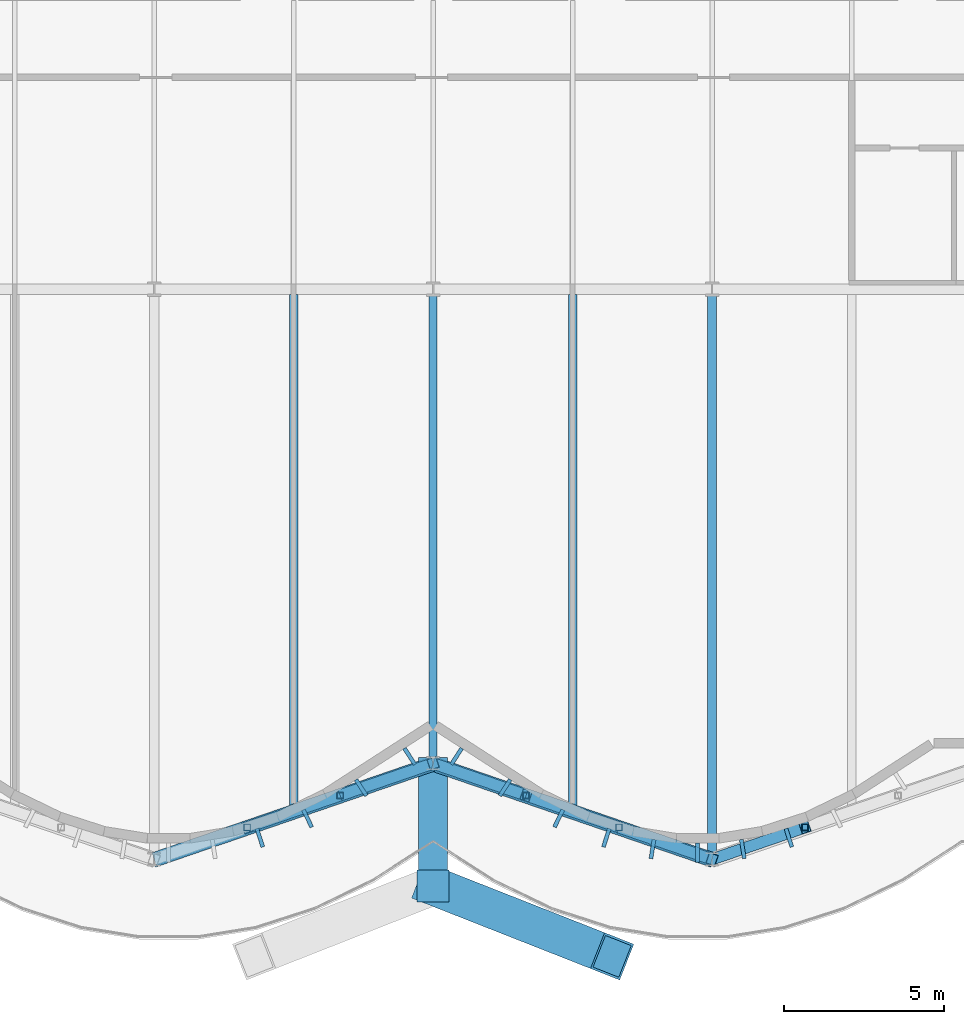
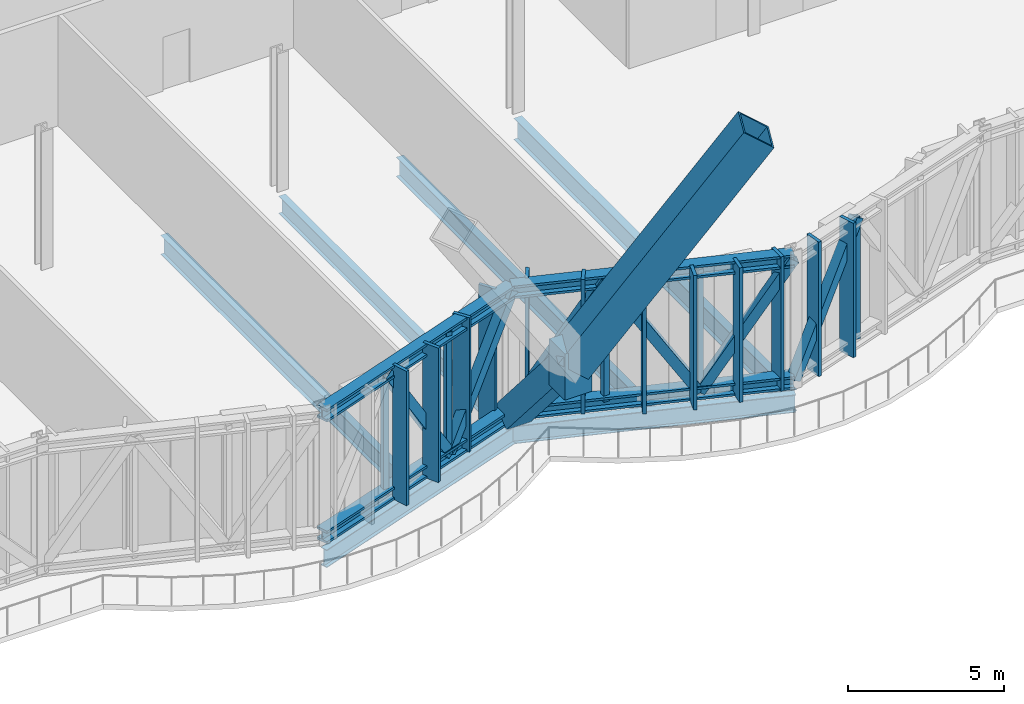
# One storey, part 11 of 32: 30 members, 6 beams, 1 element without a shape of its own.
"""IFC4 building model written with IfcOpenShell, lengths in metres."""

from ifc_helpers import new_model, si_unit, direction, frame, origin, origin_2d, place, context, subcontext, project, spatial, rectangle, hollow_rectangle, i_section, extrude, material, material_profile, profile_set, type_object, element, aggregate, save


model = new_model("IFC4")

# Units and contexts
model_context = context("Model", 3, precision=1e-05, world=origin(), true_north=direction((0.0, 1.0)))
body_context = subcontext(model_context, "Body", "Model", "MODEL_VIEW")
ifc_project = project(units=[si_unit("LENGTHUNIT", "METRE"), si_unit("AREAUNIT", "SQUARE_METRE"), si_unit("VOLUMEUNIT", "CUBIC_METRE"), si_unit("PLANEANGLEUNIT", "RADIAN"), si_unit("MASSUNIT", "GRAM", prefix="KILO")], contexts=[model_context])

# Site, building, storey
site_placement = place(None, origin())
site = spatial("IfcSite", under=ifc_project, at=site_placement, CompositionType="ELEMENT")
building_placement = place(site_placement, origin())
building = spatial("IfcBuilding", under=site, at=building_placement, Name="Bicima Exchange Tower", CompositionType="ELEMENT")
storey_placement = place(building_placement, frame((0.0, 0.0, 84.5)))
storey = spatial("IfcBuildingStorey", under=building, at=storey_placement, Name="L17", CompositionType="ELEMENT", Elevation=84.5)

# Curtain wall, members
ifc_material_1 = material(Name="Anodised bronze aluminium", Category="aluminium")
curtain_wall_type = type_object("IfcCurtainWallType", Name="Band blade screen", PredefinedType="NOTDEFINED", material=ifc_material_1)
curtain_wall_placement = place(storey_placement, origin())
curtain_wall = element("IfcCurtainWall", 1, at=curtain_wall_placement, inside=storey, type_object=curtain_wall_type, Name="Band blade screen L17", PredefinedType="NOTDEFINED")
ifc_material_profile_1 = material_profile(ifc_material_1, rectangle(XDim=0.60009765625, YDim=0.1201171875, at=origin_2d()))
ifc_profile_set_1 = profile_set([ifc_material_profile_1], Name="Anodised bronze aluminium")
member_type_1 = type_object("IfcMemberType", Name="Band blade fin 600 x 120", PredefinedType="USERDEFINED", material=ifc_profile_set_1)
member_1_placement = place(storey_placement, frame((-5.403564453125, -39.114013671875, 0.0), z_axis=(0.0, 0.0, 1.0), x_axis=(-0.307552591055, 0.951531083956, 0.0)))
member_1 = element("IfcMember", 2, at=member_1_placement, type_object=member_type_1, Name="Band blade fin 41", ObjectType="FIN", PredefinedType="USERDEFINED", context=body_context, shape_type="SweptSolid", body=[
    extrude(rectangle(XDim=0.60009765625, YDim=0.1201171875, at=origin_2d()), origin(), (0.0, 0.0, 1.0), 5.25),
])
member_2_placement = place(storey_placement, frame((-3.916259765625, -38.510498046875, 0.0), z_axis=(0.0, 0.0, 1.0), x_axis=(-0.436286748784, 0.899807686584, 0.0)))
member_2 = element("IfcMember", 3, at=member_2_placement, type_object=member_type_1, Name="Band blade fin 42", ObjectType="FIN", PredefinedType="USERDEFINED", context=body_context, shape_type="SweptSolid", body=[
    extrude(rectangle(XDim=0.60009765625, YDim=0.1201171875, at=origin_2d()), origin(), (0.0, 0.0, 1.0), 5.25),
])
member_3_placement = place(storey_placement, frame((-2.242919921875, -37.55078125, 0.0), z_axis=(0.0, 0.0, 1.0), x_axis=(-0.542909183079, 0.839791413941, 0.0)))
member_3 = element("IfcMember", 4, at=member_3_placement, type_object=member_type_1, Name="Band blade fin 43", ObjectType="FIN", PredefinedType="USERDEFINED", context=body_context, shape_type="SweptSolid", body=[
    extrude(rectangle(XDim=0.60009765625, YDim=0.1201171875, at=origin_2d()), origin(), (0.0, 0.0, 1.0), 5.25),
])
member_4_placement = place(storey_placement, frame((-0.731201171875, -36.57373046875, 0.0), z_axis=(0.0, 0.0, 1.0), x_axis=(-0.542909183079, 0.839791413941, 0.0)))
member_4 = element("IfcMember", 5, at=member_4_placement, type_object=member_type_1, Name="Band blade fin 44", ObjectType="FIN", PredefinedType="USERDEFINED", context=body_context, shape_type="SweptSolid", body=[
    extrude(rectangle(XDim=0.60009765625, YDim=0.1201171875, at=origin_2d()), origin(), (0.0, 0.0, 1.0), 5.25),
])
member_5_placement = place(storey_placement, frame((0.731201171875, -36.57373046875, 0.0), z_axis=(0.0, 0.0, 1.0), x_axis=(0.542909183079, 0.839791413941, 0.0)))
member_5 = element("IfcMember", 6, at=member_5_placement, type_object=member_type_1, Name="Band blade fin 45", ObjectType="FIN", PredefinedType="USERDEFINED", context=body_context, shape_type="SweptSolid", body=[
    extrude(rectangle(XDim=0.60009765625, YDim=0.1201171875, at=origin_2d()), origin(), (0.0, 0.0, 1.0), 5.25),
])
member_6_placement = place(storey_placement, frame((2.242919921875, -37.55078125, 0.0), z_axis=(0.0, 0.0, 1.0), x_axis=(0.542909183079, 0.839791413941, 0.0)))
member_6 = element("IfcMember", 7, at=member_6_placement, type_object=member_type_1, Name="Band blade fin 46", ObjectType="FIN", PredefinedType="USERDEFINED", context=body_context, shape_type="SweptSolid", body=[
    extrude(rectangle(XDim=0.60009765625, YDim=0.1201171875, at=origin_2d()), origin(), (0.0, 0.0, 1.0), 5.25),
])
member_7_placement = place(storey_placement, frame((3.916259765625, -38.510498046875, 0.0), z_axis=(0.0, 0.0, 1.0), x_axis=(0.436286748784, 0.899807686584, 0.0)))
member_7 = element("IfcMember", 8, at=member_7_placement, type_object=member_type_1, Name="Band blade fin 47", ObjectType="FIN", PredefinedType="USERDEFINED", context=body_context, shape_type="SweptSolid", body=[
    extrude(rectangle(XDim=0.60009765625, YDim=0.1201171875, at=origin_2d()), origin(), (0.0, 0.0, 1.0), 5.25),
])
member_8_placement = place(storey_placement, frame((5.403564453125, -39.114013671875, 0.0), z_axis=(0.0, 0.0, 1.0), x_axis=(0.307552591055, 0.951531083956, 0.0)))
member_8 = element("IfcMember", 9, at=member_8_placement, type_object=member_type_1, Name="Band blade fin 48", ObjectType="FIN", PredefinedType="USERDEFINED", context=body_context, shape_type="SweptSolid", body=[
    extrude(rectangle(XDim=0.60009765625, YDim=0.1201171875, at=origin_2d()), origin(), (0.0, 0.0, 1.0), 5.25),
])
member_9_placement = place(storey_placement, frame((6.84130859375, -39.464599609375, 0.0), z_axis=(0.0, 0.0, 1.0), x_axis=(0.159533156447, 0.987192570877, 0.0)))
member_9 = element("IfcMember", 10, at=member_9_placement, type_object=member_type_1, Name="Band blade fin 49", ObjectType="FIN", PredefinedType="USERDEFINED", context=body_context, shape_type="SweptSolid", body=[
    extrude(rectangle(XDim=0.60009765625, YDim=0.1201171875, at=origin_2d()), origin(), (0.0, 0.0, 1.0), 5.25),
])
member_10_placement = place(storey_placement, frame((8.25, -39.5791015625, 0.0), z_axis=(0.0, 0.0, 1.0), x_axis=(0.0, 1.0, 0.0)))
member_10 = element("IfcMember", 11, at=member_10_placement, type_object=member_type_1, Name="Band blade fin 50", ObjectType="FIN", PredefinedType="USERDEFINED", context=body_context, shape_type="SweptSolid", body=[
    extrude(rectangle(XDim=0.60009765625, YDim=0.1201171875, at=origin_2d()), origin(), (0.0, 0.0, 1.0), 5.25),
])
member_11_placement = place(storey_placement, frame((9.65869140625, -39.464599609375, 0.0), z_axis=(0.0, 0.0, 1.0), x_axis=(-0.159533156447, 0.987192570877, 0.0)))
member_11 = element("IfcMember", 12, at=member_11_placement, type_object=member_type_1, Name="Band blade fin 51", ObjectType="FIN", PredefinedType="USERDEFINED", context=body_context, shape_type="SweptSolid", body=[
    extrude(rectangle(XDim=0.60009765625, YDim=0.1201171875, at=origin_2d()), origin(), (0.0, 0.0, 1.0), 5.25),
])
member_12_placement = place(storey_placement, frame((11.096435546875, -39.114013671875, 0.0), z_axis=(0.0, 0.0, 1.0), x_axis=(-0.307552591055, 0.951531083956, 0.0)))
member_12 = element("IfcMember", 13, at=member_12_placement, type_object=member_type_1, Name="Band blade fin 52", ObjectType="FIN", PredefinedType="USERDEFINED", context=body_context, shape_type="SweptSolid", body=[
    extrude(rectangle(XDim=0.60009765625, YDim=0.1201171875, at=origin_2d()), origin(), (0.0, 0.0, 1.0), 5.25),
])
aggregate(curtain_wall, [member_1, member_2, member_3, member_4, member_5, member_6, member_7, member_8, member_9, member_10, member_11, member_12])

# Members
ifc_material_2 = material(Name="Steel ASTM A992 Gr 50", Category="steel")
ifc_material_profile_2 = material_profile(ifc_material_2, i_section(OverallWidth=0.431884765625, OverallDepth=0.497802734375, WebThickness=0.0556640625, FlangeThickness=0.0888671875, at=origin_2d()))
ifc_profile_set_2 = profile_set([ifc_material_profile_2], Name="Steel ASTM A992 Gr 50")
member_type_2 = type_object("IfcMemberType", Name="Belt truss chord W14x500", PredefinedType="CHORD", material=ifc_profile_set_2)
for number, where, z_axis, x_axis, name in (
    (14, (-8.699951171875, -39.78515625, 5.001220703125), (0.945666456746, 0.325138359143, 0.0), (-0.325138359143, 0.945666456746, 0.0), "Top chord"),
    (15, (-8.699951171875, -39.78515625, 0.248779296875), (0.945666456746, 0.325138359143, 0.0), (-0.325138359143, 0.945666456746, 0.0), "Bottom chord"),
    (16, (0.0, -36.7939453125, 5.001220703125), (0.945666456746, -0.325138359143, 0.0), (0.325138359143, 0.945666456746, 0.0), "Top chord"),
    (17, (0.0, -36.7939453125, 0.248779296875), (0.945666456746, -0.325138359143, 0.0), (0.325138359143, 0.945666456746, 0.0), "Bottom chord"),
):
    element("IfcMember", number, at=place(storey_placement, frame(where, z_axis=z_axis, x_axis=x_axis)), inside=storey, type_object=member_type_2, Name=name, PredefinedType="CHORD", context=body_context, shape_type="SweptSolid", body=[
        extrude(i_section(OverallWidth=0.431884765625, OverallDepth=0.497802734375, WebThickness=0.0556640625, FlangeThickness=0.0888671875, at=origin_2d()), origin(), (0.0, 0.0, 1.0), 9.19970703125),
    ])
ifc_material_3 = material(Name="Steel ASTM A572 Gr 50", Category="steel")
ifc_material_profile_3 = material_profile(ifc_material_3, hollow_rectangle(XDim=0.355712890625, YDim=0.355712890625, WallThickness=0.0146484375, at=origin_2d()))
ifc_profile_set_3 = profile_set([ifc_material_profile_3], Name="Steel ASTM A572 Gr 50")
member_type_3 = type_object("IfcMemberType", Name="Belt truss diagonal HSS14x14x5/8", PredefinedType="STRUT", material=ifc_profile_set_3)
for number, where, z_axis, x_axis, name in (
    (18, (-5.800048828125, -38.7880859375, 5.001220703125), (0.512752840949, 0.176284418085, -0.840243017251), (-0.325122040768, 0.94567206716, 0.0), "Truss diagonal"),
    (19, (-2.89990234375, -37.791015625, 0.248779296875), (0.5127210239, 0.176288319718, 0.840261614012), (-0.325146518908, 0.945663651222, 0.0), "Truss diagonal"),
    (20, (0.0, -36.7939453125, 0.248779296875), (0.5127210239, -0.176288319718, 0.840261614012), (0.325146518908, 0.945663651222, 0.0), "Truss diagonal"),
    (21, (2.89990234375, -37.791015625, 5.001220703125), (0.512752840949, -0.176284418085, -0.840243017251), (0.325122040768, 0.94567206716, 0.0), "Truss diagonal"),
    (22, (5.800048828125, -38.7880859375, 0.248779296875), (0.5127210239, -0.176288319718, 0.840261614012), (0.325146518908, 0.945663651222, 0.0), "Truss diagonal"),
    (23, (8.699951171875, -39.78515625, 0.248779296875), (0.512752840949, 0.176284418085, 0.840243017251), (-0.325122040768, 0.94567206716, 0.0), "Truss diagonal"),
):
    element("IfcMember", number, at=place(storey_placement, frame(where, z_axis=z_axis, x_axis=x_axis)), inside=storey, type_object=member_type_3, Name=name, PredefinedType="STRUT", context=body_context, shape_type="SweptSolid", body=[
        extrude(hollow_rectangle(XDim=0.355712890625, YDim=0.355712890625, WallThickness=0.0146484375, at=origin_2d()), origin(), (0.0, 0.0, 1.0), 5.656005859375),
    ])
ifc_material_profile_4 = material_profile(ifc_material_3, hollow_rectangle(XDim=0.203125, YDim=0.203125, WallThickness=0.01171875, at=origin_2d()))
ifc_profile_set_4 = profile_set([ifc_material_profile_4], Name="Steel ASTM A572 Gr 50")
member_type_4 = type_object("IfcMemberType", Name="Belt truss post HSS8x8x1/2", PredefinedType="POST", material=ifc_profile_set_4)
for number, where, z_axis, x_axis, name in (
    (24, (-5.800048828125, -38.7880859375, 0.248779296875), (0.0, 0.0, 1.0), (1.0, 0.0, 0.0), "Truss post"),
    (25, (-2.89990234375, -37.791015625, 0.248779296875), (0.0, 0.0, 1.0), (1.0, 0.0, 0.0), "Truss post"),
    (26, (2.89990234375, -37.791015625, 0.248779296875), (0.0, 0.0, 1.0), (1.0, 0.0, 0.0), "Truss post"),
    (27, (5.800048828125, -38.7880859375, 0.248779296875), (0.0, 0.0, 1.0), (1.0, 0.0, 0.0), "Truss post"),
    (28, (11.60009765625, -38.7880859375, 0.248779296875), (0.0, 0.0, 1.0), (1.0, 0.0, 0.0), "Truss post"),
):
    element("IfcMember", number, at=place(storey_placement, frame(where, z_axis=z_axis, x_axis=x_axis)), inside=storey, type_object=member_type_4, Name=name, PredefinedType="POST", context=body_context, shape_type="SweptSolid", body=[
        extrude(hollow_rectangle(XDim=0.203125, YDim=0.203125, WallThickness=0.01171875, at=origin_2d()), origin(), (0.0, 0.0, 1.0), 4.75244140625),
    ])
ifc_material_profile_5 = material_profile(ifc_material_3, hollow_rectangle(XDim=1.199951171875, YDim=1.199951171875, WallThickness=0.070068359375, at=origin_2d()))
ifc_profile_set_5 = profile_set([ifc_material_profile_5], Name="Steel ASTM A572 Gr 50")
member_type_5 = type_object("IfcMemberType", Name="Exo mega brace BOX 1200x1200x70", PredefinedType="BRACE", material=ifc_profile_set_5)
member_13_placement = place(storey_placement, frame((0.0, -40.61279296875, 4.5), z_axis=(0.540137902224, -0.212687122722, 0.814257474273), x_axis=(0.366383630861, 0.93046388164, 0.0)))
element("IfcMember", 29, at=member_13_placement, inside=storey, type_object=member_type_5, Name="Exo mega brace front", PredefinedType="BRACE", context=body_context, shape_type="SweptSolid", body=[
    extrude(hollow_rectangle(XDim=1.199951171875, YDim=1.199951171875, WallThickness=0.070068359375, at=origin_2d()), origin(), (0.0, 0.0, 1.0), 10.336669921875),
])
ifc_material_4 = material(Name="Cast steel ASTM A216 Gr WCB", Category="steel")
ifc_material_profile_6 = material_profile(ifc_material_4, rectangle(XDim=1.0, YDim=1.0, at=origin_2d()))
ifc_profile_set_6 = profile_set([ifc_material_profile_6], Name="Cast steel ASTM A216 Gr WCB")
member_type_6 = type_object("IfcMemberType", Name="Exo node block", PredefinedType="POST", material=ifc_profile_set_6)
member_14_placement = place(storey_placement, frame((0.0, -40.61279296875, 3.449951171875), z_axis=(0.0, 0.0, 1.0), x_axis=(1.0, 0.0, 0.0)))
element("IfcMember", 30, at=member_14_placement, inside=storey, type_object=member_type_6, Name="Exo node block", PredefinedType="POST", context=body_context, shape_type="SweptSolid", body=[
    extrude(rectangle(XDim=1.0, YDim=1.0, at=origin_2d()), origin(), (0.0, 0.0, 1.0), 1.800048828125),
])
ifc_material_profile_7 = material_profile(ifc_material_3, hollow_rectangle(XDim=0.89990234375, YDim=0.89990234375, WallThickness=0.050048828125, at=origin_2d()))
ifc_profile_set_7 = profile_set([ifc_material_profile_7], Name="Steel ASTM A572 Gr 50")
member_type_7 = type_object("IfcMemberType", Name="Exo outrigger stub BOX 900x900x50", PredefinedType="STRUT", material=ifc_profile_set_7)
member_15_placement = place(storey_placement, frame((0.0, -36.944091796875, 0.248779296875), z_axis=(0.0, -0.653333439324, 0.757070285417), x_axis=(1.0, 0.0, 0.0)))
element("IfcMember", 31, at=member_15_placement, inside=storey, type_object=member_type_7, Name="Exo outrigger stub", PredefinedType="STRUT", context=body_context, shape_type="SweptSolid", body=[
    extrude(hollow_rectangle(XDim=0.89990234375, YDim=0.89990234375, WallThickness=0.050048828125, at=origin_2d()), origin(), (0.0, 0.0, 1.0), 5.615478515625),
])

# Beams
ifc_material_profile_8 = material_profile(ifc_material_2, i_section(OverallWidth=0.25390625, OverallDepth=0.67822265625, WebThickness=0.01171875, FlangeThickness=0.016357421875, at=origin_2d()))
ifc_profile_set_8 = profile_set([ifc_material_profile_8], Name="Steel ASTM A992 Gr 50")
beam_type_1 = type_object("IfcBeamType", Name="Floor beam W27x84", PredefinedType="JOIST", material=ifc_profile_set_8)
beam_1_placement = place(storey_placement, frame((0.0, -22.16259765625, -0.5390625), z_axis=(0.0, -1.0, 0.0), x_axis=(1.0, 0.0, 0.0)))
element("IfcBeam", 32, at=beam_1_placement, inside=storey, type_object=beam_type_1, Name="Floor beam", PredefinedType="JOIST", context=body_context, shape_type="SweptSolid", body=[
    extrude(i_section(OverallWidth=0.25390625, OverallDepth=0.67822265625, WebThickness=0.01171875, FlangeThickness=0.016357421875, at=origin_2d()), origin(), (0.0, 0.0, 1.0), 14.75341796875),
])
ifc_material_profile_9 = material_profile(ifc_material_2, i_section(OverallWidth=0.2666015625, OverallDepth=0.75439453125, WebThickness=0.01318359375, FlangeThickness=0.01708984375, at=origin_2d()))
ifc_profile_set_9 = profile_set([ifc_material_profile_9], Name="Steel ASTM A992 Gr 50")
beam_type_2 = type_object("IfcBeamType", Name="Floor beam W30x99", PredefinedType="JOIST", material=ifc_profile_set_9)
for number, where, z_axis, x_axis, name in (
    (33, (-4.35009765625, -22.16259765625, -0.5771484375), (0.0, -1.0, 0.0), (1.0, 0.0, 0.0), "Floor beam"),
    (34, (4.35009765625, -22.16259765625, -0.5771484375), (0.0, -1.0, 0.0), (1.0, 0.0, 0.0), "Floor beam"),
):
    element("IfcBeam", number, at=place(storey_placement, frame(where, z_axis=z_axis, x_axis=x_axis)), inside=storey, type_object=beam_type_2, Name=name, PredefinedType="JOIST", context=body_context, shape_type="SweptSolid", body=[
        extrude(i_section(OverallWidth=0.2666015625, OverallDepth=0.75439453125, WebThickness=0.01318359375, FlangeThickness=0.01708984375, at=origin_2d()), origin(), (0.0, 0.0, 1.0), 16.11328125),
    ])
ifc_material_profile_10 = material_profile(ifc_material_2, i_section(OverallWidth=0.2919921875, OverallDepth=0.835693359375, WebThickness=0.013916015625, FlangeThickness=0.018798828125, at=origin_2d()))
ifc_profile_set_10 = profile_set([ifc_material_profile_10], Name="Steel ASTM A992 Gr 50")
beam_type_3 = type_object("IfcBeamType", Name="Floor beam W33x118", PredefinedType="JOIST", material=ifc_profile_set_10)
beam_2_placement = place(storey_placement, frame((8.699951171875, -22.16259765625, -0.617919921875), z_axis=(0.0, -1.0, 0.0), x_axis=(1.0, 0.0, 0.0)))
element("IfcBeam", 35, at=beam_2_placement, inside=storey, type_object=beam_type_3, Name="Floor beam", PredefinedType="JOIST", context=body_context, shape_type="SweptSolid", body=[
    extrude(i_section(OverallWidth=0.2919921875, OverallDepth=0.835693359375, WebThickness=0.013916015625, FlangeThickness=0.018798828125, at=origin_2d()), origin(), (0.0, 0.0, 1.0), 17.60888671875),
])
ifc_material_profile_11 = material_profile(ifc_material_2, i_section(OverallWidth=0.256591796875, OverallDepth=0.693359375, WebThickness=0.014404296875, FlangeThickness=0.023681640625, at=origin_2d()))
ifc_profile_set_11 = profile_set([ifc_material_profile_11], Name="Steel ASTM A992 Gr 50")
beam_type_4 = type_object("IfcBeamType", Name="Front girder W27x114", PredefinedType="BEAM", material=ifc_profile_set_11)
for number, where, z_axis, x_axis, name in (
    (36, (-8.699951171875, -39.906982421875, -0.546630859375), (0.945674616091, 0.32511462668, 0.0), (-0.32511462668, 0.945674616091, 0.0), "Front girder"),
    (37, (0.0, -36.916015625, -0.546630859375), (0.945674616091, -0.32511462668, 0.0), (0.32511462668, 0.945674616091, 0.0), "Front girder"),
):
    element("IfcBeam", number, at=place(storey_placement, frame(where, z_axis=z_axis, x_axis=x_axis)), inside=storey, type_object=beam_type_4, Name=name, PredefinedType="BEAM", context=body_context, shape_type="SweptSolid", body=[
        extrude(i_section(OverallWidth=0.256591796875, OverallDepth=0.693359375, WebThickness=0.014404296875, FlangeThickness=0.023681640625, at=origin_2d()), origin(), (0.0, 0.0, 1.0), 9.19970703125),
    ])

save(model, "model.ifc")
